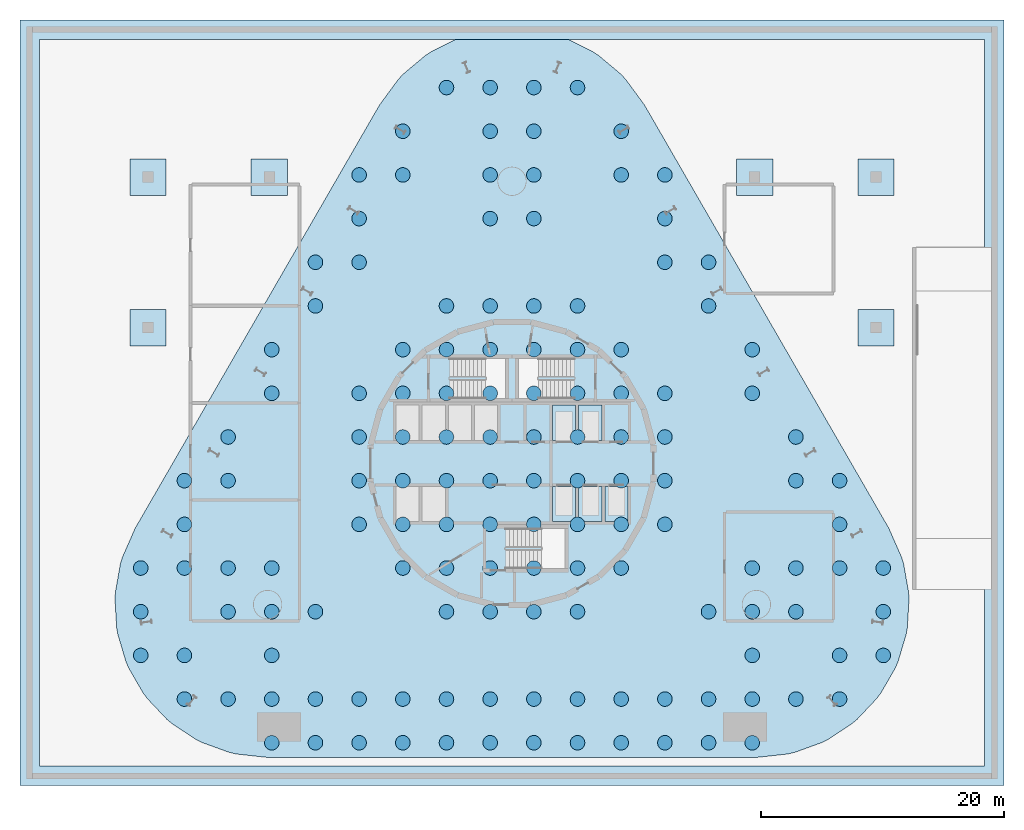
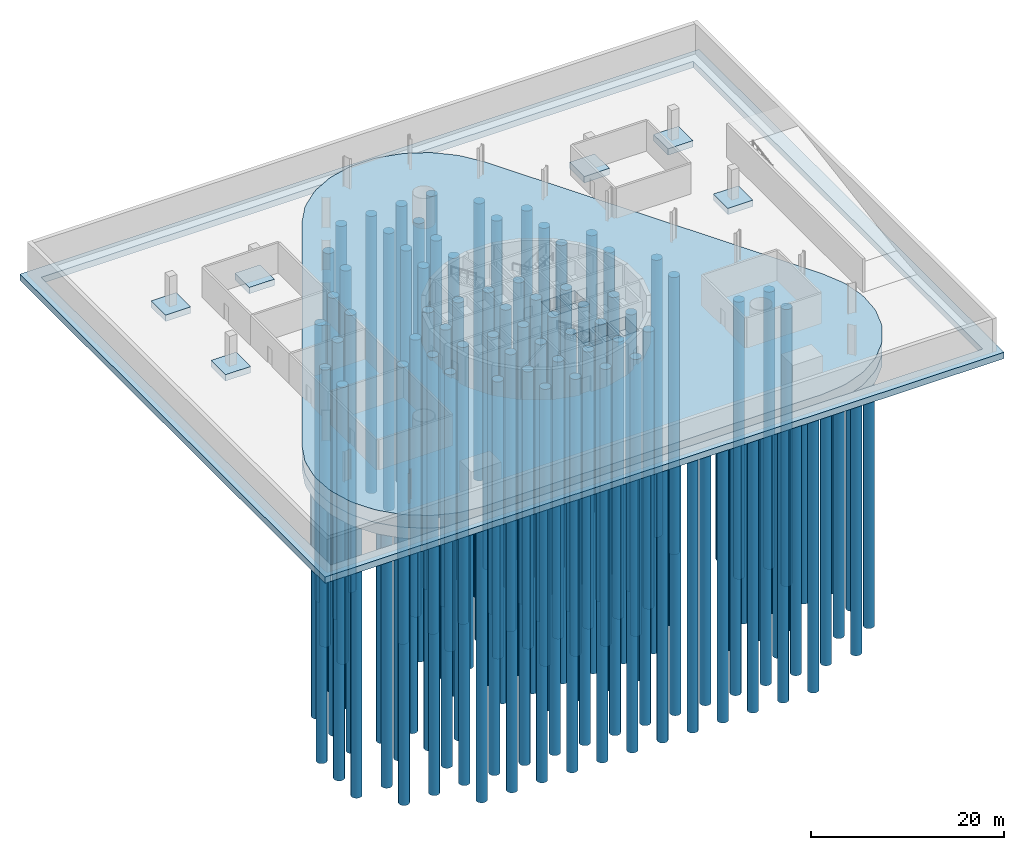
# One storey, part 1 of 11: 138 piles, 9 footings.
"""IFC4 building model written with IfcOpenShell, lengths in metres."""

from ifc_helpers import new_model, si_unit, direction, frame, origin, origin_2d, place, context, subcontext, project, spatial, polyline, circle, outline, extrude, material, layer, layer_set, material_profile, profile_set, type_object, element, save


model = new_model("IFC4")

# Units and contexts
model_context = context("Model", 3, precision=1e-05, world=origin(), true_north=direction((0.0, 1.0)))
body_context = subcontext(model_context, "Body", "Model", "MODEL_VIEW")
ifc_project = project(units=[si_unit("LENGTHUNIT", "METRE"), si_unit("AREAUNIT", "SQUARE_METRE"), si_unit("VOLUMEUNIT", "CUBIC_METRE"), si_unit("PLANEANGLEUNIT", "RADIAN"), si_unit("MASSUNIT", "GRAM", prefix="KILO")], contexts=[model_context])

# Site, building, storey
site_placement = place(None, origin())
site = spatial("IfcSite", under=ifc_project, at=site_placement, CompositionType="ELEMENT")
building_placement = place(site_placement, origin())
building = spatial("IfcBuilding", under=site, at=building_placement, Name="Spindle Arch Residences", CompositionType="ELEMENT")
storey_placement = place(building_placement, frame((0.0, 0.0, -8.39990234375)))
storey = spatial("IfcBuildingStorey", under=building, at=storey_placement, Name="B2", CompositionType="ELEMENT", Elevation=-8.39990234375)

# Piles
ifc_material_1 = material(Name="Concrete C50/60", Category="concrete")
ifc_material_profile = material_profile(ifc_material_1, circle(Radius=0.60009765625, at=origin_2d()), Name="BP D1200")
ifc_profile_set = profile_set([ifc_material_profile], Name="Concrete C50/60")
pile_type = type_object("IfcPileType", Name="Bored pile D1200", PredefinedType="BORED", material=ifc_profile_set)
for number, where, z_axis, x_axis, name in (
    (1, (-19.800048828125, -23.01904296875, -2.900146484375), (0.0, 0.0, -1.0), (1.0, 0.0, 0.0), "Pile 001"),
    (2, (-16.199951171875, -23.01904296875, -2.900146484375), (0.0, 0.0, -1.0), (1.0, 0.0, 0.0), "Pile 002"),
    (3, (-12.60009765625, -23.01904296875, -2.900146484375), (0.0, 0.0, -1.0), (1.0, 0.0, 0.0), "Pile 003"),
    (4, (-9.0, -23.01904296875, -2.900146484375), (0.0, 0.0, -1.0), (1.0, 0.0, 0.0), "Pile 004"),
    (5, (-5.39990234375, -23.01904296875, -2.900146484375), (0.0, 0.0, -1.0), (1.0, 0.0, 0.0), "Pile 005"),
    (6, (-1.800048828125, -23.01904296875, -2.900146484375), (0.0, 0.0, -1.0), (1.0, 0.0, 0.0), "Pile 006"),
    (7, (1.800048828125, -23.01904296875, -2.900146484375), (0.0, 0.0, -1.0), (1.0, 0.0, 0.0), "Pile 007"),
    (8, (5.39990234375, -23.01904296875, -2.900146484375), (0.0, 0.0, -1.0), (1.0, 0.0, 0.0), "Pile 008"),
    (9, (9.0, -23.01904296875, -2.900146484375), (0.0, 0.0, -1.0), (1.0, 0.0, 0.0), "Pile 009"),
    (10, (12.60009765625, -23.01904296875, -2.900146484375), (0.0, 0.0, -1.0), (1.0, 0.0, 0.0), "Pile 010"),
    (11, (16.199951171875, -23.01904296875, -2.900146484375), (0.0, 0.0, -1.0), (1.0, 0.0, 0.0), "Pile 011"),
    (12, (19.800048828125, -23.01904296875, -2.900146484375), (0.0, 0.0, -1.0), (1.0, 0.0, 0.0), "Pile 012"),
    (13, (-27.0, -19.4189453125, -2.900146484375), (0.0, 0.0, -1.0), (1.0, 0.0, 0.0), "Pile 013"),
    (14, (-23.39990234375, -19.4189453125, -2.900146484375), (0.0, 0.0, -1.0), (1.0, 0.0, 0.0), "Pile 014"),
    (15, (-19.800048828125, -19.4189453125, -2.900146484375), (0.0, 0.0, -1.0), (1.0, 0.0, 0.0), "Pile 015"),
    (16, (-16.199951171875, -19.4189453125, -2.900146484375), (0.0, 0.0, -1.0), (1.0, 0.0, 0.0), "Pile 016"),
    (17, (-12.60009765625, -19.4189453125, -2.900146484375), (0.0, 0.0, -1.0), (1.0, 0.0, 0.0), "Pile 017"),
    (18, (-9.0, -19.4189453125, -2.900146484375), (0.0, 0.0, -1.0), (1.0, 0.0, 0.0), "Pile 018"),
    (19, (-5.39990234375, -19.4189453125, -2.900146484375), (0.0, 0.0, -1.0), (1.0, 0.0, 0.0), "Pile 019"),
    (20, (-1.800048828125, -19.4189453125, -2.900146484375), (0.0, 0.0, -1.0), (1.0, 0.0, 0.0), "Pile 020"),
    (21, (1.800048828125, -19.4189453125, -2.900146484375), (0.0, 0.0, -1.0), (1.0, 0.0, 0.0), "Pile 021"),
    (22, (5.39990234375, -19.4189453125, -2.900146484375), (0.0, 0.0, -1.0), (1.0, 0.0, 0.0), "Pile 022"),
    (23, (9.0, -19.4189453125, -2.900146484375), (0.0, 0.0, -1.0), (1.0, 0.0, 0.0), "Pile 023"),
    (24, (12.60009765625, -19.4189453125, -2.900146484375), (0.0, 0.0, -1.0), (1.0, 0.0, 0.0), "Pile 024"),
    (25, (16.199951171875, -19.4189453125, -2.900146484375), (0.0, 0.0, -1.0), (1.0, 0.0, 0.0), "Pile 025"),
    (26, (19.800048828125, -19.4189453125, -2.900146484375), (0.0, 0.0, -1.0), (1.0, 0.0, 0.0), "Pile 026"),
    (27, (23.39990234375, -19.4189453125, -2.900146484375), (0.0, 0.0, -1.0), (1.0, 0.0, 0.0), "Pile 027"),
    (28, (27.0, -19.4189453125, -2.900146484375), (0.0, 0.0, -1.0), (1.0, 0.0, 0.0), "Pile 028"),
    (29, (-30.60009765625, -15.819091796875, -2.900146484375), (0.0, 0.0, -1.0), (1.0, 0.0, 0.0), "Pile 029"),
    (30, (-27.0, -15.819091796875, -2.900146484375), (0.0, 0.0, -1.0), (1.0, 0.0, 0.0), "Pile 030"),
    (31, (-19.800048828125, -15.819091796875, -2.900146484375), (0.0, 0.0, -1.0), (1.0, 0.0, 0.0), "Pile 031"),
    (32, (19.800048828125, -15.819091796875, -2.900146484375), (0.0, 0.0, -1.0), (1.0, 0.0, 0.0), "Pile 032"),
    (33, (27.0, -15.819091796875, -2.900146484375), (0.0, 0.0, -1.0), (1.0, 0.0, 0.0), "Pile 033"),
    (34, (30.60009765625, -15.819091796875, -2.900146484375), (0.0, 0.0, -1.0), (1.0, 0.0, 0.0), "Pile 034"),
    (35, (-30.60009765625, -12.218994140625, -2.900146484375), (0.0, 0.0, -1.0), (1.0, 0.0, 0.0), "Pile 035"),
    (36, (-23.39990234375, -12.218994140625, -2.900146484375), (0.0, 0.0, -1.0), (1.0, 0.0, 0.0), "Pile 036"),
    (37, (-19.800048828125, -12.218994140625, -2.900146484375), (0.0, 0.0, -1.0), (1.0, 0.0, 0.0), "Pile 037"),
    (38, (-16.199951171875, -12.218994140625, -2.900146484375), (0.0, 0.0, -1.0), (1.0, 0.0, 0.0), "Pile 038"),
    (39, (-5.39990234375, -12.218994140625, -2.900146484375), (0.0, 0.0, -1.0), (1.0, 0.0, 0.0), "Pile 039"),
    (40, (-1.800048828125, -12.218994140625, -2.900146484375), (0.0, 0.0, -1.0), (1.0, 0.0, 0.0), "Pile 040"),
    (41, (1.800048828125, -12.218994140625, -2.900146484375), (0.0, 0.0, -1.0), (1.0, 0.0, 0.0), "Pile 041"),
    (42, (5.39990234375, -12.218994140625, -2.900146484375), (0.0, 0.0, -1.0), (1.0, 0.0, 0.0), "Pile 042"),
    (43, (16.199951171875, -12.218994140625, -2.900146484375), (0.0, 0.0, -1.0), (1.0, 0.0, 0.0), "Pile 043"),
    (44, (19.800048828125, -12.218994140625, -2.900146484375), (0.0, 0.0, -1.0), (1.0, 0.0, 0.0), "Pile 044"),
    (45, (23.39990234375, -12.218994140625, -2.900146484375), (0.0, 0.0, -1.0), (1.0, 0.0, 0.0), "Pile 045"),
    (46, (30.60009765625, -12.218994140625, -2.900146484375), (0.0, 0.0, -1.0), (1.0, 0.0, 0.0), "Pile 046"),
    (47, (-30.60009765625, -8.618896484375, -2.900146484375), (0.0, 0.0, -1.0), (1.0, 0.0, 0.0), "Pile 047"),
    (48, (-27.0, -8.618896484375, -2.900146484375), (0.0, 0.0, -1.0), (1.0, 0.0, 0.0), "Pile 048"),
    (49, (-23.39990234375, -8.618896484375, -2.900146484375), (0.0, 0.0, -1.0), (1.0, 0.0, 0.0), "Pile 049"),
    (50, (-19.800048828125, -8.618896484375, -2.900146484375), (0.0, 0.0, -1.0), (1.0, 0.0, 0.0), "Pile 050"),
    (51, (-9.0, -8.618896484375, -2.900146484375), (0.0, 0.0, -1.0), (1.0, 0.0, 0.0), "Pile 051"),
    (52, (-5.39990234375, -8.618896484375, -2.900146484375), (0.0, 0.0, -1.0), (1.0, 0.0, 0.0), "Pile 052"),
    (53, (-1.800048828125, -8.618896484375, -2.900146484375), (0.0, 0.0, -1.0), (1.0, 0.0, 0.0), "Pile 053"),
    (54, (1.800048828125, -8.618896484375, -2.900146484375), (0.0, 0.0, -1.0), (1.0, 0.0, 0.0), "Pile 054"),
    (55, (5.39990234375, -8.618896484375, -2.900146484375), (0.0, 0.0, -1.0), (1.0, 0.0, 0.0), "Pile 055"),
    (56, (9.0, -8.618896484375, -2.900146484375), (0.0, 0.0, -1.0), (1.0, 0.0, 0.0), "Pile 056"),
    (57, (19.800048828125, -8.618896484375, -2.900146484375), (0.0, 0.0, -1.0), (1.0, 0.0, 0.0), "Pile 057"),
    (58, (23.39990234375, -8.618896484375, -2.900146484375), (0.0, 0.0, -1.0), (1.0, 0.0, 0.0), "Pile 058"),
    (59, (27.0, -8.618896484375, -2.900146484375), (0.0, 0.0, -1.0), (1.0, 0.0, 0.0), "Pile 059"),
    (60, (30.60009765625, -8.618896484375, -2.900146484375), (0.0, 0.0, -1.0), (1.0, 0.0, 0.0), "Pile 060"),
    (61, (-27.0, -5.01904296875, -2.900146484375), (0.0, 0.0, -1.0), (1.0, 0.0, 0.0), "Pile 061"),
    (62, (-12.60009765625, -5.01904296875, -2.900146484375), (0.0, 0.0, -1.0), (1.0, 0.0, 0.0), "Pile 062"),
    (63, (-9.0, -5.01904296875, -2.900146484375), (0.0, 0.0, -1.0), (1.0, 0.0, 0.0), "Pile 063"),
    (64, (-5.39990234375, -5.01904296875, -2.900146484375), (0.0, 0.0, -1.0), (1.0, 0.0, 0.0), "Pile 064"),
    (65, (-1.800048828125, -5.01904296875, -2.900146484375), (0.0, 0.0, -1.0), (1.0, 0.0, 0.0), "Pile 065"),
    (66, (1.800048828125, -5.01904296875, -2.900146484375), (0.0, 0.0, -1.0), (1.0, 0.0, 0.0), "Pile 066"),
    (67, (5.39990234375, -5.01904296875, -2.900146484375), (0.0, 0.0, -1.0), (1.0, 0.0, 0.0), "Pile 067"),
    (68, (9.0, -5.01904296875, -2.900146484375), (0.0, 0.0, -1.0), (1.0, 0.0, 0.0), "Pile 068"),
    (69, (12.60009765625, -5.01904296875, -2.900146484375), (0.0, 0.0, -1.0), (1.0, 0.0, 0.0), "Pile 069"),
    (70, (27.0, -5.01904296875, -2.900146484375), (0.0, 0.0, -1.0), (1.0, 0.0, 0.0), "Pile 070"),
    (71, (-27.0, -1.4189453125, -2.900146484375), (0.0, 0.0, -1.0), (1.0, 0.0, 0.0), "Pile 071"),
    (72, (-23.39990234375, -1.4189453125, -2.900146484375), (0.0, 0.0, -1.0), (1.0, 0.0, 0.0), "Pile 072"),
    (73, (-12.60009765625, -1.4189453125, -2.900146484375), (0.0, 0.0, -1.0), (1.0, 0.0, 0.0), "Pile 073"),
    (74, (-9.0, -1.4189453125, -2.900146484375), (0.0, 0.0, -1.0), (1.0, 0.0, 0.0), "Pile 074"),
    (75, (-5.39990234375, -1.4189453125, -2.900146484375), (0.0, 0.0, -1.0), (1.0, 0.0, 0.0), "Pile 075"),
    (76, (-1.800048828125, -1.4189453125, -2.900146484375), (0.0, 0.0, -1.0), (1.0, 0.0, 0.0), "Pile 076"),
    (77, (1.800048828125, -1.4189453125, -2.900146484375), (0.0, 0.0, -1.0), (1.0, 0.0, 0.0), "Pile 077"),
    (78, (5.39990234375, -1.4189453125, -2.900146484375), (0.0, 0.0, -1.0), (1.0, 0.0, 0.0), "Pile 078"),
    (79, (9.0, -1.4189453125, -2.900146484375), (0.0, 0.0, -1.0), (1.0, 0.0, 0.0), "Pile 079"),
    (80, (12.60009765625, -1.4189453125, -2.900146484375), (0.0, 0.0, -1.0), (1.0, 0.0, 0.0), "Pile 080"),
    (81, (23.39990234375, -1.4189453125, -2.900146484375), (0.0, 0.0, -1.0), (1.0, 0.0, 0.0), "Pile 081"),
    (82, (27.0, -1.4189453125, -2.900146484375), (0.0, 0.0, -1.0), (1.0, 0.0, 0.0), "Pile 082"),
    (83, (-23.39990234375, 2.180908203125, -2.900146484375), (0.0, 0.0, -1.0), (1.0, 0.0, 0.0), "Pile 083"),
    (84, (-12.60009765625, 2.180908203125, -2.900146484375), (0.0, 0.0, -1.0), (1.0, 0.0, 0.0), "Pile 084"),
    (85, (-9.0, 2.180908203125, -2.900146484375), (0.0, 0.0, -1.0), (1.0, 0.0, 0.0), "Pile 085"),
    (86, (-5.39990234375, 2.180908203125, -2.900146484375), (0.0, 0.0, -1.0), (1.0, 0.0, 0.0), "Pile 086"),
    (87, (-1.800048828125, 2.180908203125, -2.900146484375), (0.0, 0.0, -1.0), (1.0, 0.0, 0.0), "Pile 087"),
    (88, (1.800048828125, 2.180908203125, -2.900146484375), (0.0, 0.0, -1.0), (1.0, 0.0, 0.0), "Pile 088"),
    (89, (5.39990234375, 2.180908203125, -2.900146484375), (0.0, 0.0, -1.0), (1.0, 0.0, 0.0), "Pile 089"),
    (90, (9.0, 2.180908203125, -2.900146484375), (0.0, 0.0, -1.0), (1.0, 0.0, 0.0), "Pile 090"),
    (91, (12.60009765625, 2.180908203125, -2.900146484375), (0.0, 0.0, -1.0), (1.0, 0.0, 0.0), "Pile 091"),
    (92, (23.39990234375, 2.180908203125, -2.900146484375), (0.0, 0.0, -1.0), (1.0, 0.0, 0.0), "Pile 092"),
    (93, (-19.800048828125, 5.781005859375, -2.900146484375), (0.0, 0.0, -1.0), (1.0, 0.0, 0.0), "Pile 093"),
    (94, (-12.60009765625, 5.781005859375, -2.900146484375), (0.0, 0.0, -1.0), (1.0, 0.0, 0.0), "Pile 094"),
    (95, (-9.0, 5.781005859375, -2.900146484375), (0.0, 0.0, -1.0), (1.0, 0.0, 0.0), "Pile 095"),
    (96, (-5.39990234375, 5.781005859375, -2.900146484375), (0.0, 0.0, -1.0), (1.0, 0.0, 0.0), "Pile 096"),
    (97, (-1.800048828125, 5.781005859375, -2.900146484375), (0.0, 0.0, -1.0), (1.0, 0.0, 0.0), "Pile 097"),
    (98, (1.800048828125, 5.781005859375, -2.900146484375), (0.0, 0.0, -1.0), (1.0, 0.0, 0.0), "Pile 098"),
    (99, (5.39990234375, 5.781005859375, -2.900146484375), (0.0, 0.0, -1.0), (1.0, 0.0, 0.0), "Pile 099"),
    (100, (9.0, 5.781005859375, -2.900146484375), (0.0, 0.0, -1.0), (1.0, 0.0, 0.0), "Pile 100"),
    (101, (12.60009765625, 5.781005859375, -2.900146484375), (0.0, 0.0, -1.0), (1.0, 0.0, 0.0), "Pile 101"),
    (102, (19.800048828125, 5.781005859375, -2.900146484375), (0.0, 0.0, -1.0), (1.0, 0.0, 0.0), "Pile 102"),
    (103, (-19.800048828125, 9.381103515625, -2.900146484375), (0.0, 0.0, -1.0), (1.0, 0.0, 0.0), "Pile 103"),
    (104, (-9.0, 9.381103515625, -2.900146484375), (0.0, 0.0, -1.0), (1.0, 0.0, 0.0), "Pile 104"),
    (105, (-5.39990234375, 9.381103515625, -2.900146484375), (0.0, 0.0, -1.0), (1.0, 0.0, 0.0), "Pile 105"),
    (106, (-1.800048828125, 9.381103515625, -2.900146484375), (0.0, 0.0, -1.0), (1.0, 0.0, 0.0), "Pile 106"),
    (107, (1.800048828125, 9.381103515625, -2.900146484375), (0.0, 0.0, -1.0), (1.0, 0.0, 0.0), "Pile 107"),
    (108, (5.39990234375, 9.381103515625, -2.900146484375), (0.0, 0.0, -1.0), (1.0, 0.0, 0.0), "Pile 108"),
    (109, (9.0, 9.381103515625, -2.900146484375), (0.0, 0.0, -1.0), (1.0, 0.0, 0.0), "Pile 109"),
    (110, (19.800048828125, 9.381103515625, -2.900146484375), (0.0, 0.0, -1.0), (1.0, 0.0, 0.0), "Pile 110"),
    (111, (-16.199951171875, 12.98095703125, -2.900146484375), (0.0, 0.0, -1.0), (1.0, 0.0, 0.0), "Pile 111"),
    (112, (-5.39990234375, 12.98095703125, -2.900146484375), (0.0, 0.0, -1.0), (1.0, 0.0, 0.0), "Pile 112"),
    (113, (-1.800048828125, 12.98095703125, -2.900146484375), (0.0, 0.0, -1.0), (1.0, 0.0, 0.0), "Pile 113"),
    (114, (1.800048828125, 12.98095703125, -2.900146484375), (0.0, 0.0, -1.0), (1.0, 0.0, 0.0), "Pile 114"),
    (115, (5.39990234375, 12.98095703125, -2.900146484375), (0.0, 0.0, -1.0), (1.0, 0.0, 0.0), "Pile 115"),
    (116, (16.199951171875, 12.98095703125, -2.900146484375), (0.0, 0.0, -1.0), (1.0, 0.0, 0.0), "Pile 116"),
    (117, (-16.199951171875, 16.5810546875, -2.900146484375), (0.0, 0.0, -1.0), (1.0, 0.0, 0.0), "Pile 117"),
    (118, (-12.60009765625, 16.5810546875, -2.900146484375), (0.0, 0.0, -1.0), (1.0, 0.0, 0.0), "Pile 118"),
    (119, (12.60009765625, 16.5810546875, -2.900146484375), (0.0, 0.0, -1.0), (1.0, 0.0, 0.0), "Pile 119"),
    (120, (16.199951171875, 16.5810546875, -2.900146484375), (0.0, 0.0, -1.0), (1.0, 0.0, 0.0), "Pile 120"),
    (121, (-12.60009765625, 20.180908203125, -2.900146484375), (0.0, 0.0, -1.0), (1.0, 0.0, 0.0), "Pile 121"),
    (122, (-1.800048828125, 20.180908203125, -2.900146484375), (0.0, 0.0, -1.0), (1.0, 0.0, 0.0), "Pile 122"),
    (123, (1.800048828125, 20.180908203125, -2.900146484375), (0.0, 0.0, -1.0), (1.0, 0.0, 0.0), "Pile 123"),
    (124, (12.60009765625, 20.180908203125, -2.900146484375), (0.0, 0.0, -1.0), (1.0, 0.0, 0.0), "Pile 124"),
    (125, (-12.60009765625, 23.781005859375, -2.900146484375), (0.0, 0.0, -1.0), (1.0, 0.0, 0.0), "Pile 125"),
    (126, (-9.0, 23.781005859375, -2.900146484375), (0.0, 0.0, -1.0), (1.0, 0.0, 0.0), "Pile 126"),
    (127, (-1.800048828125, 23.781005859375, -2.900146484375), (0.0, 0.0, -1.0), (1.0, 0.0, 0.0), "Pile 127"),
    (128, (1.800048828125, 23.781005859375, -2.900146484375), (0.0, 0.0, -1.0), (1.0, 0.0, 0.0), "Pile 128"),
    (129, (9.0, 23.781005859375, -2.900146484375), (0.0, 0.0, -1.0), (1.0, 0.0, 0.0), "Pile 129"),
    (130, (12.60009765625, 23.781005859375, -2.900146484375), (0.0, 0.0, -1.0), (1.0, 0.0, 0.0), "Pile 130"),
    (131, (-9.0, 27.381103515625, -2.900146484375), (0.0, 0.0, -1.0), (1.0, 0.0, 0.0), "Pile 131"),
    (132, (-1.800048828125, 27.381103515625, -2.900146484375), (0.0, 0.0, -1.0), (1.0, 0.0, 0.0), "Pile 132"),
    (133, (1.800048828125, 27.381103515625, -2.900146484375), (0.0, 0.0, -1.0), (1.0, 0.0, 0.0), "Pile 133"),
    (134, (9.0, 27.381103515625, -2.900146484375), (0.0, 0.0, -1.0), (1.0, 0.0, 0.0), "Pile 134"),
    (135, (-5.39990234375, 30.98095703125, -2.900146484375), (0.0, 0.0, -1.0), (1.0, 0.0, 0.0), "Pile 135"),
    (136, (-1.800048828125, 30.98095703125, -2.900146484375), (0.0, 0.0, -1.0), (1.0, 0.0, 0.0), "Pile 136"),
    (137, (1.800048828125, 30.98095703125, -2.900146484375), (0.0, 0.0, -1.0), (1.0, 0.0, 0.0), "Pile 137"),
    (138, (5.39990234375, 30.98095703125, -2.900146484375), (0.0, 0.0, -1.0), (1.0, 0.0, 0.0), "Pile 138"),
):
    element("IfcPile", number, at=place(storey_placement, frame(where, z_axis=z_axis, x_axis=x_axis)), inside=storey, type_object=pile_type, Name=name, PredefinedType="BORED", context=body_context, shape_type="SweptSolid", body=[
        extrude(circle(Radius=0.60009765625, at=origin_2d()), origin(), (0.0, 0.0, 1.0), 35.0),
    ])

# Footings
ifc_material_2 = material(Name="Concrete C40/50", Category="concrete")
footing_type_1 = type_object("IfcFootingType", Name="Pad footing 3000x3000x800", PredefinedType="PAD_FOOTING", material=ifc_material_2)
footing_1_placement = place(storey_placement, frame((0.0, 0.0, -0.800048828125)))
element("IfcFooting", 139, at=footing_1_placement, inside=storey, type_object=footing_type_1, Name="Pad 000", PredefinedType="PAD_FOOTING", context=body_context, shape_type="SweptSolid", body=[
    extrude(outline(polyline([(-28.5, 9.699951171875), (-28.5, 12.699951171875), (-31.5, 12.699951171875), (-31.5, 9.699951171875), (-28.5, 9.699951171875)])), origin(), (0.0, 0.0, 1.0), 0.800048828125),
])
footing_2_placement = place(storey_placement, frame((0.0, 0.0, -0.800048828125)))
element("IfcFooting", 140, at=footing_2_placement, inside=storey, type_object=footing_type_1, Name="Pad 001", PredefinedType="PAD_FOOTING", context=body_context, shape_type="SweptSolid", body=[
    extrude(outline(polyline([(-28.5, 22.10009765625), (-28.5, 25.10009765625), (-31.5, 25.10009765625), (-31.5, 22.10009765625), (-28.5, 22.10009765625)])), origin(), (0.0, 0.0, 1.0), 0.800048828125),
])
footing_3_placement = place(storey_placement, frame((0.0, 0.0, -0.800048828125)))
element("IfcFooting", 141, at=footing_3_placement, inside=storey, type_object=footing_type_1, Name="Pad 002", PredefinedType="PAD_FOOTING", context=body_context, shape_type="SweptSolid", body=[
    extrude(outline(polyline([(-18.5, 22.10009765625), (-18.5, 25.10009765625), (-21.5, 25.10009765625), (-21.5, 22.10009765625), (-18.5, 22.10009765625)])), origin(), (0.0, 0.0, 1.0), 0.800048828125),
])
footing_4_placement = place(storey_placement, frame((0.0, 0.0, -0.800048828125)))
element("IfcFooting", 142, at=footing_4_placement, inside=storey, type_object=footing_type_1, Name="Pad 003", PredefinedType="PAD_FOOTING", context=body_context, shape_type="SweptSolid", body=[
    extrude(outline(polyline([(21.5, 22.10009765625), (21.5, 25.10009765625), (18.5, 25.10009765625), (18.5, 22.10009765625), (21.5, 22.10009765625)])), origin(), (0.0, 0.0, 1.0), 0.800048828125),
])
footing_5_placement = place(storey_placement, frame((0.0, 0.0, -0.800048828125)))
element("IfcFooting", 143, at=footing_5_placement, inside=storey, type_object=footing_type_1, Name="Pad 004", PredefinedType="PAD_FOOTING", context=body_context, shape_type="SweptSolid", body=[
    extrude(outline(polyline([(31.5, 9.699951171875), (31.5, 12.699951171875), (28.5, 12.699951171875), (28.5, 9.699951171875), (31.5, 9.699951171875)])), origin(), (0.0, 0.0, 1.0), 0.800048828125),
])
footing_6_placement = place(storey_placement, frame((0.0, 0.0, -0.800048828125)))
element("IfcFooting", 144, at=footing_6_placement, inside=storey, type_object=footing_type_1, Name="Pad 005", PredefinedType="PAD_FOOTING", context=body_context, shape_type="SweptSolid", body=[
    extrude(outline(polyline([(31.5, 22.10009765625), (31.5, 25.10009765625), (28.5, 25.10009765625), (28.5, 22.10009765625), (31.5, 22.10009765625)])), origin(), (0.0, 0.0, 1.0), 0.800048828125),
])
ifc_material_3 = material(Name="Concrete C40/50", Category="concrete")
ifc_layer_1 = layer(ifc_material_3, 1.39990234375)
ifc_layer_set_1 = layer_set([ifc_layer_1], Name="Piled raft plate 1400")
footing_type_2 = type_object("IfcFootingType", Name="Piled raft plate 1400", PredefinedType="PILE_CAP", material=ifc_layer_set_1)
footing_7_placement = place(storey_placement, frame((0.0, 0.0, -3.0)))
element("IfcFooting", 145, at=footing_7_placement, inside=storey, type_object=footing_type_2, Name="Piled raft", PredefinedType="PILE_CAP", context=body_context, shape_type="SweptSolid", body=[
    extrude(outline(polyline([(20.1435546875, -24.22998046875), (-20.1435546875, -24.22998046875), (-22.762939453125, -23.94091796875), (-23.327880859375, -23.806884765625), (-25.531494140625, -23.0048828125), (-26.05029296875, -22.744384765625), (-28.009521484375, -21.455810546875), (-28.4541015625, -21.08251953125), (-30.0634765625, -19.376708984375), (-30.41015625, -18.9111328125), (-31.58251953125, -16.88037109375), (-31.8125, -16.347412109375), (-32.485107421875, -14.100830078125), (-32.5859375, -13.529052734375), (-32.722412109375, -11.18798828125), (-32.6884765625, -10.6083984375), (-32.28125, -8.299072265625), (-32.11474609375, -7.742919921875), (-31.055419921875, -5.329833984375), (-10.911865234375, 29.559814453125), (-9.351806640625, 31.683837890625), (-8.953369140625, 32.10595703125), (-7.156982421875, 33.61328125), (-6.672119140625, 33.932373046875), (-4.576416015625, 34.98486328125), (-4.031005859375, 35.183349609375), (-1.7490234375, 35.72412109375), (-1.172607421875, 35.79150390625), (1.172607421875, 35.79150390625), (1.7490234375, 35.72412109375), (4.031005859375, 35.183349609375), (4.576416015625, 34.98486328125), (6.672119140625, 33.932373046875), (7.156982421875, 33.61328125), (8.953369140625, 32.10595703125), (9.351806640625, 31.683837890625), (10.911865234375, 29.559814453125), (31.055419921875, -5.329833984375), (32.11474609375, -7.742919921875), (32.28125, -8.299072265625), (32.6884765625, -10.6083984375), (32.722412109375, -11.18798828125), (32.5859375, -13.529052734375), (32.485107421875, -14.100830078125), (31.8125, -16.347412109375), (31.58251953125, -16.88037109375), (30.41015625, -18.9111328125), (30.0634765625, -19.376708984375), (28.4541015625, -21.08251953125), (28.009521484375, -21.455810546875), (26.05029296875, -22.744384765625), (25.531494140625, -23.0048828125), (23.327880859375, -23.806884765625), (22.762939453125, -23.94091796875), (20.1435546875, -24.22998046875)])), origin(), (0.0, 0.0, 1.0), 1.39990234375),
])
ifc_material_4 = material(Name="Concrete C40/50", Category="concrete")
ifc_layer_2 = layer(ifc_material_4, 1.60009765625)
ifc_layer_set_2 = layer_set([ifc_layer_2], Name="Piled raft upper plate 1600")
footing_type_3 = type_object("IfcFootingType", Name="Piled raft upper plate 1600", PredefinedType="PILE_CAP", material=ifc_layer_set_2)
footing_8_placement = place(storey_placement, frame((0.0, 0.0, -1.60009765625)))
element("IfcFooting", 146, at=footing_8_placement, inside=storey, type_object=footing_type_3, Name="Piled raft upper plate", PredefinedType="PILE_CAP", context=body_context, shape_type="SweptSolid", body=[
    extrude(outline(polyline([(-20.1435546875, -24.22998046875), (-22.762939453125, -23.94091796875), (-23.327880859375, -23.806884765625), (-25.531494140625, -23.0048828125), (-26.05029296875, -22.744384765625), (-28.009521484375, -21.455810546875), (-28.4541015625, -21.08251953125), (-30.0634765625, -19.376708984375), (-30.41015625, -18.9111328125), (-31.58251953125, -16.88037109375), (-31.8125, -16.347412109375), (-32.485107421875, -14.100830078125), (-32.5859375, -13.529052734375), (-32.722412109375, -11.18798828125), (-32.6884765625, -10.6083984375), (-32.28125, -8.299072265625), (-32.11474609375, -7.742919921875), (-31.055419921875, -5.329833984375), (-10.911865234375, 29.559814453125), (-9.351806640625, 31.683837890625), (-8.953369140625, 32.10595703125), (-7.156982421875, 33.61328125), (-6.672119140625, 33.932373046875), (-4.576416015625, 34.98486328125), (-4.031005859375, 35.183349609375), (-1.7490234375, 35.72412109375), (-1.172607421875, 35.79150390625), (1.172607421875, 35.79150390625), (1.7490234375, 35.72412109375), (4.031005859375, 35.183349609375), (4.576416015625, 34.98486328125), (6.672119140625, 33.932373046875), (7.156982421875, 33.61328125), (8.953369140625, 32.10595703125), (9.351806640625, 31.683837890625), (10.911865234375, 29.559814453125), (31.055419921875, -5.329833984375), (32.11474609375, -7.742919921875), (32.28125, -8.299072265625), (32.6884765625, -10.6083984375), (32.722412109375, -11.18798828125), (32.5859375, -13.529052734375), (32.485107421875, -14.100830078125), (31.8125, -16.347412109375), (31.58251953125, -16.88037109375), (30.41015625, -18.9111328125), (30.0634765625, -19.376708984375), (28.4541015625, -21.08251953125), (28.009521484375, -21.455810546875), (26.05029296875, -22.744384765625), (25.531494140625, -23.0048828125), (23.327880859375, -23.806884765625), (22.762939453125, -23.94091796875), (20.1435546875, -24.22998046875), (-20.1435546875, -24.22998046875)]), holes=[polyline([(3.35009765625, -1.89990234375), (3.35009765625, -4.800048828125), (5.25, -4.800048828125), (5.25, -1.89990234375), (3.35009765625, -1.89990234375)]), polyline([(5.5, -1.89990234375), (5.5, -4.800048828125), (7.39990234375, -4.800048828125), (7.39990234375, -1.89990234375), (5.5, -1.89990234375)]), polyline([(7.64990234375, -1.89990234375), (7.64990234375, -4.800048828125), (9.550048828125, -4.800048828125), (9.550048828125, -1.89990234375), (7.64990234375, -1.89990234375)]), polyline([(5.25, 4.800048828125), (3.35009765625, 4.800048828125), (3.35009765625, 1.89990234375), (5.25, 1.89990234375), (5.25, 4.800048828125)]), polyline([(7.39990234375, 4.800048828125), (5.5, 4.800048828125), (5.5, 1.89990234375), (7.39990234375, 1.89990234375), (7.39990234375, 4.800048828125)])]), origin(), (0.0, 0.0, 1.0), 1.60009765625),
])
ifc_material_5 = material(Name="Concrete C40/50", Category="concrete")
footing_type_4 = type_object("IfcFootingType", Name="Wall strip footing 1600x800", PredefinedType="STRIP_FOOTING", material=ifc_material_5)
footing_9_placement = place(storey_placement, frame((0.0, 0.0, -1.2001953125)))
element("IfcFooting", 147, at=footing_9_placement, inside=storey, type_object=footing_type_4, Name="Retaining wall strip footing", PredefinedType="STRIP_FOOTING", context=body_context, shape_type="SweptSolid", body=[
    extrude(outline(polyline([(-40.550048828125, -26.550048828125), (-40.550048828125, 36.550048828125), (40.550048828125, 36.550048828125), (40.550048828125, -26.550048828125), (-40.550048828125, -26.550048828125)]), holes=[polyline([(38.949951171875, 34.949951171875), (-38.949951171875, 34.949951171875), (-38.949951171875, -24.949951171875), (38.949951171875, -24.949951171875), (38.949951171875, 34.949951171875)])]), origin(), (0.0, 0.0, 1.0), 0.800048828125),
])

save(model, "model.ifc")
